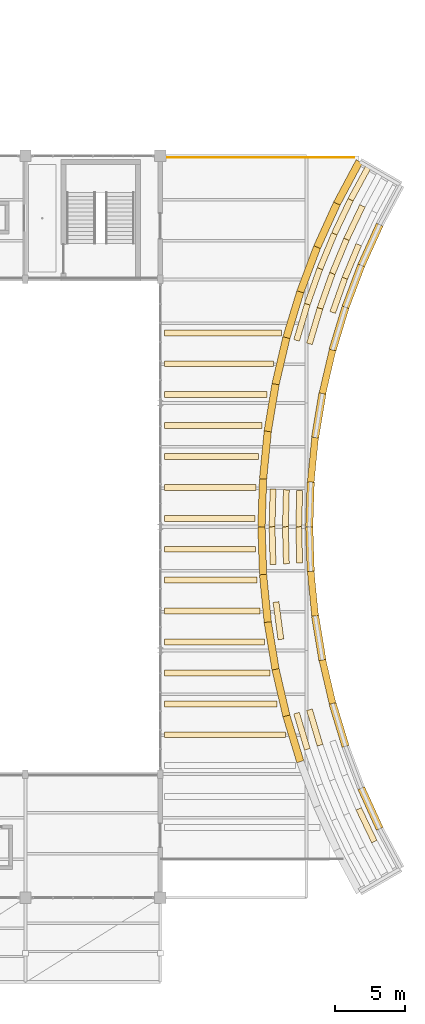
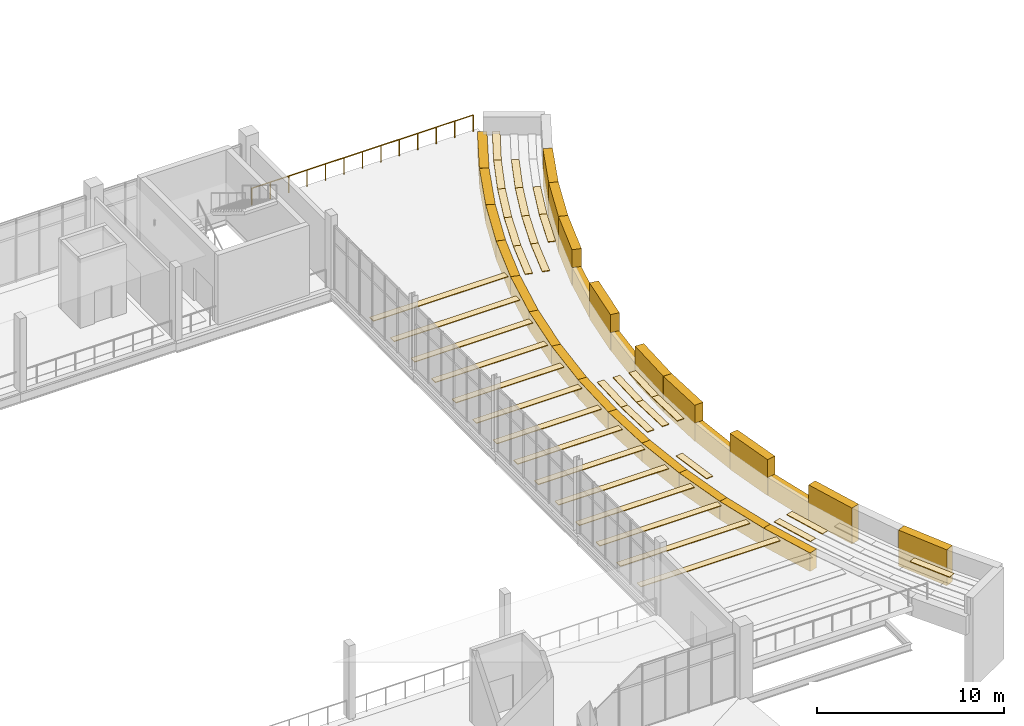
# One storey, part 156 of 157: 61 coverings, 1 railing.
"""IFC4 building model written with IfcOpenShell, lengths in metres."""

from ifc_helpers import new_model, si_unit, direction, frame, origin, origin_2d, place, context, subcontext, project, spatial, polyline, circle, outline, extrude, material, layer, layer_set, type_object, element, save


model = new_model("IFC4")

# Units and contexts
model_context = context("Model", 3, precision=1e-05, world=origin(), true_north=direction((0.0, 1.0)))
body_context = subcontext(model_context, "Body", "Model", "MODEL_VIEW")
ifc_project = project(units=[si_unit("LENGTHUNIT", "METRE"), si_unit("AREAUNIT", "SQUARE_METRE"), si_unit("VOLUMEUNIT", "CUBIC_METRE"), si_unit("PLANEANGLEUNIT", "RADIAN"), si_unit("MASSUNIT", "GRAM", prefix="KILO")], contexts=[model_context])

# Site, building, storey
site_placement = place(None, origin())
site = spatial("IfcSite", under=ifc_project, at=site_placement, CompositionType="ELEMENT")
building_placement = place(site_placement, origin())
building = spatial("IfcBuilding", under=site, at=building_placement, Name="Chalmorin Arch Market", CompositionType="ELEMENT")
storey_placement = place(building_placement, frame((0.0, 0.0, 4.800048828125)))
storey = spatial("IfcBuildingStorey", under=building, at=storey_placement, Name="L01", CompositionType="ELEMENT", Elevation=4.800048828125)

# Railing
ifc_material_1 = material(Name="Galvanised Steel", Category="steel")
ifc_layer_1 = layer(ifc_material_1, 0.06005859375)
ifc_layer_set_1 = layer_set([ifc_layer_1], Name="Galvanised Steel")
railing_type = type_object("IfcRailingType", Name="TerraceMeshGuardrail-1100", PredefinedType="GUARDRAIL", material=ifc_layer_set_1)
railing_placement = place(storey_placement, frame((124.89990234375, 58.679931640625, 0.0)))
element("IfcRailing", 1, at=railing_placement, inside=storey, type_object=railing_type, Name="GR-013", PredefinedType="GUARDRAIL", context=body_context, shape_type="SweptSolid", body=[
    extrude(circle(Radius=0.02392578125, at=origin_2d()), frame((0.0, 0.0, 1.076171875), z_axis=(1.0, 0.0, 0.0), x_axis=(0.0, 1.0, 0.0)), (0.0, 0.0, 1.0), 13.677001953125),
    extrude(circle(Radius=0.02099609375, at=origin_2d()), origin(), (0.0, 0.0, 1.0), 1.052001953125),
    extrude(circle(Radius=0.02099609375, at=origin_2d()), frame((1.1396484375, 0.0, 0.0)), (0.0, 0.0, 1.0), 1.052001953125),
    extrude(circle(Radius=0.02099609375, at=origin_2d()), frame((2.279541015625, 0.0, 0.0)), (0.0, 0.0, 1.0), 1.052001953125),
    extrude(circle(Radius=0.02099609375, at=origin_2d()), frame((3.419189453125, 0.0, 0.0)), (0.0, 0.0, 1.0), 1.052001953125),
    extrude(circle(Radius=0.02099609375, at=origin_2d()), frame((4.55908203125, 0.0, 0.0)), (0.0, 0.0, 1.0), 1.052001953125),
    extrude(circle(Radius=0.02099609375, at=origin_2d()), frame((5.69873046875, 0.0, 0.0)), (0.0, 0.0, 1.0), 1.052001953125),
    extrude(circle(Radius=0.02099609375, at=origin_2d()), frame((6.83837890625, 0.0, 0.0)), (0.0, 0.0, 1.0), 1.052001953125),
    extrude(circle(Radius=0.02099609375, at=origin_2d()), frame((7.978271484375, 0.0, 0.0)), (0.0, 0.0, 1.0), 1.052001953125),
    extrude(circle(Radius=0.02099609375, at=origin_2d()), frame((9.117919921875, 0.0, 0.0)), (0.0, 0.0, 1.0), 1.052001953125),
    extrude(circle(Radius=0.02099609375, at=origin_2d()), frame((10.2578125, 0.0, 0.0)), (0.0, 0.0, 1.0), 1.052001953125),
    extrude(circle(Radius=0.02099609375, at=origin_2d()), frame((11.3974609375, 0.0, 0.0)), (0.0, 0.0, 1.0), 1.052001953125),
    extrude(circle(Radius=0.02099609375, at=origin_2d()), frame((12.537353515625, 0.0, 0.0)), (0.0, 0.0, 1.0), 1.052001953125),
    extrude(circle(Radius=0.02099609375, at=origin_2d()), frame((13.677001953125, 0.0, 0.0)), (0.0, 0.0, 1.0), 1.052001953125),
])

# Coverings
ifc_material_2 = material(Name="Planted Green Roof Turf")
ifc_layer_2 = layer(ifc_material_2, 0.044921875)
ifc_layer_set_2 = layer_set([ifc_layer_2], Name="Planted Green Roof Turf")
covering_type_1 = type_object("IfcCoveringType", Name="VegetatedMoundTurfStrip-45", PredefinedType="ROOFING", material=ifc_layer_set_2)
covering_1_placement = place(storey_placement, origin())
element("IfcCovering", 2, at=covering_1_placement, inside=storey, type_object=covering_type_1, Name="VMT-45-020", PredefinedType="ROOFING", context=body_context, shape_type="SweptSolid", body=[
    extrude(outline(polyline([(125.10009765625, 17.389892578125), (133.700927734375, 17.389892578125), (133.700927734375, 17.81005859375), (125.10009765625, 17.81005859375), (125.10009765625, 17.389892578125)])), origin(), (0.0, 0.0, 1.0), 0.044921875),
])
covering_2_placement = place(storey_placement, origin())
element("IfcCovering", 3, at=covering_2_placement, inside=storey, type_object=covering_type_1, Name="VMT-45-021", PredefinedType="ROOFING", context=body_context, shape_type="SweptSolid", body=[
    extrude(outline(polyline([(125.10009765625, 19.590087890625), (133.10009765625, 19.590087890625), (133.10009765625, 20.010009765625), (125.10009765625, 20.010009765625), (125.10009765625, 19.590087890625)])), origin(), (0.0, 0.0, 1.0), 0.044921875),
])
covering_3_placement = place(storey_placement, origin())
element("IfcCovering", 4, at=covering_3_placement, inside=storey, type_object=covering_type_1, Name="VMT-45-022", PredefinedType="ROOFING", context=body_context, shape_type="SweptSolid", body=[
    extrude(outline(polyline([(125.10009765625, 21.7900390625), (132.60107421875, 21.7900390625), (132.60107421875, 22.2099609375), (125.10009765625, 22.2099609375), (125.10009765625, 21.7900390625)])), origin(), (0.0, 0.0, 1.0), 0.044921875),
])
covering_4_placement = place(storey_placement, origin())
element("IfcCovering", 5, at=covering_4_placement, inside=storey, type_object=covering_type_1, Name="VMT-45-023", PredefinedType="ROOFING", context=body_context, shape_type="SweptSolid", body=[
    extrude(outline(polyline([(125.10009765625, 23.989990234375), (132.200927734375, 23.989990234375), (132.200927734375, 24.409912109375), (125.10009765625, 24.409912109375), (125.10009765625, 23.989990234375)])), origin(), (0.0, 0.0, 1.0), 0.044921875),
])
covering_5_placement = place(storey_placement, origin())
element("IfcCovering", 6, at=covering_5_placement, inside=storey, type_object=covering_type_1, Name="VMT-45-024", PredefinedType="ROOFING", context=body_context, shape_type="SweptSolid", body=[
    extrude(outline(polyline([(125.10009765625, 26.18994140625), (131.89697265625, 26.18994140625), (131.89697265625, 26.610107421875), (125.10009765625, 26.610107421875), (125.10009765625, 26.18994140625)])), origin(), (0.0, 0.0, 1.0), 0.044921875),
])
covering_6_placement = place(storey_placement, origin())
element("IfcCovering", 7, at=covering_6_placement, inside=storey, type_object=covering_type_1, Name="VMT-45-025", PredefinedType="ROOFING", context=body_context, shape_type="SweptSolid", body=[
    extrude(outline(polyline([(125.10009765625, 28.389892578125), (131.68896484375, 28.389892578125), (131.68896484375, 28.81005859375), (125.10009765625, 28.81005859375), (125.10009765625, 28.389892578125)])), origin(), (0.0, 0.0, 1.0), 0.044921875),
])
covering_7_placement = place(storey_placement, origin())
element("IfcCovering", 8, at=covering_7_placement, inside=storey, type_object=covering_type_1, Name="VMT-45-026", PredefinedType="ROOFING", context=body_context, shape_type="SweptSolid", body=[
    extrude(outline(polyline([(125.10009765625, 30.590087890625), (131.574951171875, 30.590087890625), (131.574951171875, 31.010009765625), (125.10009765625, 31.010009765625), (125.10009765625, 30.590087890625)])), origin(), (0.0, 0.0, 1.0), 0.044921875),
])
covering_8_placement = place(storey_placement, origin())
element("IfcCovering", 9, at=covering_8_placement, inside=storey, type_object=covering_type_1, Name="VMT-45-027", PredefinedType="ROOFING", context=body_context, shape_type="SweptSolid", body=[
    extrude(outline(polyline([(125.10009765625, 32.7900390625), (131.552978515625, 32.7900390625), (131.552978515625, 33.2099609375), (125.10009765625, 33.2099609375), (125.10009765625, 32.7900390625)])), origin(), (0.0, 0.0, 1.0), 0.044921875),
])
covering_9_placement = place(storey_placement, origin())
element("IfcCovering", 10, at=covering_9_placement, inside=storey, type_object=covering_type_1, Name="VMT-45-028", PredefinedType="ROOFING", context=body_context, shape_type="SweptSolid", body=[
    extrude(outline(polyline([(125.10009765625, 34.989990234375), (131.625, 34.989990234375), (131.625, 35.409912109375), (125.10009765625, 35.409912109375), (125.10009765625, 34.989990234375)])), origin(), (0.0, 0.0, 1.0), 0.044921875),
])
covering_10_placement = place(storey_placement, origin())
element("IfcCovering", 11, at=covering_10_placement, inside=storey, type_object=covering_type_1, Name="VMT-45-029", PredefinedType="ROOFING", context=body_context, shape_type="SweptSolid", body=[
    extrude(outline(polyline([(125.10009765625, 37.18994140625), (131.791015625, 37.18994140625), (131.791015625, 37.610107421875), (125.10009765625, 37.610107421875), (125.10009765625, 37.18994140625)])), origin(), (0.0, 0.0, 1.0), 0.044921875),
])
covering_11_placement = place(storey_placement, origin())
element("IfcCovering", 12, at=covering_11_placement, inside=storey, type_object=covering_type_1, Name="VMT-45-030", PredefinedType="ROOFING", context=body_context, shape_type="SweptSolid", body=[
    extrude(outline(polyline([(125.10009765625, 39.389892578125), (132.051025390625, 39.389892578125), (132.051025390625, 39.81005859375), (125.10009765625, 39.81005859375), (125.10009765625, 39.389892578125)])), origin(), (0.0, 0.0, 1.0), 0.044921875),
])
covering_12_placement = place(storey_placement, origin())
element("IfcCovering", 13, at=covering_12_placement, inside=storey, type_object=covering_type_1, Name="VMT-45-031", PredefinedType="ROOFING", context=body_context, shape_type="SweptSolid", body=[
    extrude(outline(polyline([(125.10009765625, 41.590087890625), (132.406982421875, 41.590087890625), (132.406982421875, 42.010009765625), (125.10009765625, 42.010009765625), (125.10009765625, 41.590087890625)])), origin(), (0.0, 0.0, 1.0), 0.044921875),
])
covering_13_placement = place(storey_placement, origin())
element("IfcCovering", 14, at=covering_13_placement, inside=storey, type_object=covering_type_1, Name="VMT-45-032", PredefinedType="ROOFING", context=body_context, shape_type="SweptSolid", body=[
    extrude(outline(polyline([(125.10009765625, 43.7900390625), (132.860107421875, 43.7900390625), (132.860107421875, 44.2099609375), (125.10009765625, 44.2099609375), (125.10009765625, 43.7900390625)])), origin(), (0.0, 0.0, 1.0), 0.044921875),
])
covering_14_placement = place(storey_placement, origin())
element("IfcCovering", 15, at=covering_14_placement, inside=storey, type_object=covering_type_1, Name="VMT-45-033", PredefinedType="ROOFING", context=body_context, shape_type="SweptSolid", body=[
    extrude(outline(polyline([(125.10009765625, 45.989990234375), (133.4150390625, 45.989990234375), (133.4150390625, 46.409912109375), (125.10009765625, 46.409912109375), (125.10009765625, 45.989990234375)])), origin(), (0.0, 0.0, 1.0), 0.044921875),
])
covering_15_placement = place(storey_placement, origin())
element("IfcCovering", 16, at=covering_15_placement, inside=storey, type_object=covering_type_1, Name="VMT-45-120", PredefinedType="ROOFING", context=body_context, shape_type="SweptSolid", body=[
    extrude(outline(polyline([(138.722900390625, 52.552490234375), (137.73388671875, 50.165283203125), (138.1220703125, 50.004638671875), (139.111083984375, 52.3916015625), (138.722900390625, 52.552490234375)])), origin(), (0.0, 0.0, 1.0), 0.044921875),
])
covering_16_placement = place(storey_placement, origin())
element("IfcCovering", 17, at=covering_16_placement, inside=storey, type_object=covering_type_1, Name="VMT-45-121", PredefinedType="ROOFING", context=body_context, shape_type="SweptSolid", body=[
    extrude(outline(polyline([(137.72998046875, 50.1552734375), (136.8671875, 47.72021484375), (137.262939453125, 47.579833984375), (138.1259765625, 50.014892578125), (137.72998046875, 50.1552734375)])), origin(), (0.0, 0.0, 1.0), 0.044921875),
])
covering_17_placement = place(storey_placement, origin())
element("IfcCovering", 18, at=covering_17_placement, inside=storey, type_object=covering_type_1, Name="VMT-45-122", PredefinedType="ROOFING", context=body_context, shape_type="SweptSolid", body=[
    extrude(outline(polyline([(134.508056640625, 34.988525390625), (134.440185546875, 32.405517578125), (134.85986328125, 32.39453125), (134.927978515625, 34.9775390625), (134.508056640625, 34.988525390625)])), origin(), (0.0, 0.0, 1.0), 0.044921875),
])
covering_18_placement = place(storey_placement, origin())
element("IfcCovering", 19, at=covering_18_placement, inside=storey, type_object=covering_type_1, Name="VMT-45-123", PredefinedType="ROOFING", context=body_context, shape_type="SweptSolid", body=[
    extrude(outline(polyline([(134.440185546875, 32.39453125), (134.508056640625, 29.8115234375), (134.927978515625, 29.822509765625), (134.85986328125, 32.405517578125), (134.440185546875, 32.39453125)])), origin(), (0.0, 0.0, 1.0), 0.044921875),
])
covering_19_placement = place(storey_placement, origin())
element("IfcCovering", 20, at=covering_19_placement, inside=storey, type_object=covering_type_1, Name="VMT-45-126", PredefinedType="ROOFING", context=body_context, shape_type="SweptSolid", body=[
    extrude(outline(polyline([(138.727294921875, 12.237548828125), (139.83935546875, 9.905517578125), (140.218505859375, 10.08642578125), (139.106689453125, 12.41845703125), (138.727294921875, 12.237548828125)])), origin(), (0.0, 0.0, 1.0), 0.044921875),
])
covering_20_placement = place(storey_placement, origin())
element("IfcCovering", 21, at=covering_20_placement, inside=storey, type_object=covering_type_1, Name="VMT-45-129", PredefinedType="ROOFING", context=body_context, shape_type="SweptSolid", body=[
    extrude(outline(polyline([(138.992431640625, 55.326416015625), (137.859375, 52.949462890625), (138.238525390625, 52.7685546875), (139.37158203125, 55.1455078125), (138.992431640625, 55.326416015625)])), origin(), (0.0, 0.0, 1.0), 0.044921875),
])
covering_21_placement = place(storey_placement, origin())
element("IfcCovering", 22, at=covering_21_placement, inside=storey, type_object=covering_type_1, Name="VMT-45-130", PredefinedType="ROOFING", context=body_context, shape_type="SweptSolid", body=[
    extrude(outline(polyline([(137.85498046875, 52.939453125), (136.846923828125, 50.50634765625), (137.235107421875, 50.345703125), (138.242919921875, 52.778564453125), (137.85498046875, 52.939453125)])), origin(), (0.0, 0.0, 1.0), 0.044921875),
])
covering_22_placement = place(storey_placement, origin())
element("IfcCovering", 23, at=covering_22_placement, inside=storey, type_object=covering_type_1, Name="VMT-45-131", PredefinedType="ROOFING", context=body_context, shape_type="SweptSolid", body=[
    extrude(outline(polyline([(136.843017578125, 50.49609375), (135.964111328125, 48.01416015625), (136.360107421875, 47.873779296875), (137.239013671875, 50.35595703125), (136.843017578125, 50.49609375)])), origin(), (0.0, 0.0, 1.0), 0.044921875),
])
covering_23_placement = place(storey_placement, origin())
element("IfcCovering", 24, at=covering_23_placement, inside=storey, type_object=covering_type_1, Name="VMT-45-132", PredefinedType="ROOFING", context=body_context, shape_type="SweptSolid", body=[
    extrude(outline(polyline([(135.960693359375, 48.003662109375), (135.212646484375, 45.478515625), (135.615478515625, 45.359375), (136.36328125, 47.884521484375), (135.960693359375, 48.003662109375)])), origin(), (0.0, 0.0, 1.0), 0.044921875),
])
covering_24_placement = place(storey_placement, origin())
element("IfcCovering", 25, at=covering_24_placement, inside=storey, type_object=covering_type_1, Name="VMT-45-133", PredefinedType="ROOFING", context=body_context, shape_type="SweptSolid", body=[
    extrude(outline(polyline([(133.55908203125, 35.03759765625), (133.489990234375, 32.405517578125), (133.909912109375, 32.39453125), (133.97900390625, 35.026611328125), (133.55908203125, 35.03759765625)])), origin(), (0.0, 0.0, 1.0), 0.044921875),
])
covering_25_placement = place(storey_placement, origin())
element("IfcCovering", 26, at=covering_25_placement, inside=storey, type_object=covering_type_1, Name="VMT-45-134", PredefinedType="ROOFING", context=body_context, shape_type="SweptSolid", body=[
    extrude(outline(polyline([(133.489990234375, 32.39453125), (133.55908203125, 29.762451171875), (133.97900390625, 29.7734375), (133.909912109375, 32.405517578125), (133.489990234375, 32.39453125)])), origin(), (0.0, 0.0, 1.0), 0.044921875),
])
covering_26_placement = place(storey_placement, origin())
element("IfcCovering", 27, at=covering_26_placement, inside=storey, type_object=covering_type_1, Name="VMT-45-135", PredefinedType="ROOFING", context=body_context, shape_type="SweptSolid", body=[
    extrude(outline(polyline([(135.212646484375, 19.3212890625), (135.960693359375, 16.79638671875), (136.36328125, 16.91552734375), (135.615478515625, 19.440673828125), (135.212646484375, 19.3212890625)])), origin(), (0.0, 0.0, 1.0), 0.044921875),
])
covering_27_placement = place(storey_placement, origin())
element("IfcCovering", 28, at=covering_27_placement, inside=storey, type_object=covering_type_1, Name="VMT-45-140", PredefinedType="ROOFING", context=body_context, shape_type="SweptSolid", body=[
    extrude(outline(polyline([(139.431396484375, 58.125244140625), (138.1513671875, 55.76708984375), (138.5205078125, 55.56689453125), (139.800537109375, 57.9248046875), (139.431396484375, 58.125244140625)])), origin(), (0.0, 0.0, 1.0), 0.044921875),
])
covering_28_placement = place(storey_placement, origin())
element("IfcCovering", 29, at=covering_28_placement, inside=storey, type_object=covering_type_1, Name="VMT-45-141", PredefinedType="ROOFING", context=body_context, shape_type="SweptSolid", body=[
    extrude(outline(polyline([(138.146484375, 55.75732421875), (136.991455078125, 53.33544921875), (137.37060546875, 53.154541015625), (138.525634765625, 55.57666015625), (138.146484375, 55.75732421875)])), origin(), (0.0, 0.0, 1.0), 0.044921875),
])
covering_29_placement = place(storey_placement, origin())
element("IfcCovering", 30, at=covering_29_placement, inside=storey, type_object=covering_type_1, Name="VMT-45-142", PredefinedType="ROOFING", context=body_context, shape_type="SweptSolid", body=[
    extrude(outline(polyline([(136.987060546875, 53.325439453125), (135.9599609375, 50.846435546875), (136.347900390625, 50.685546875), (137.375, 53.16455078125), (136.987060546875, 53.325439453125)])), origin(), (0.0, 0.0, 1.0), 0.044921875),
])
covering_30_placement = place(storey_placement, origin())
element("IfcCovering", 31, at=covering_30_placement, inside=storey, type_object=covering_type_1, Name="VMT-45-143", PredefinedType="ROOFING", context=body_context, shape_type="SweptSolid", body=[
    extrude(outline(polyline([(135.9560546875, 50.836181640625), (135.06005859375, 48.30712890625), (135.455810546875, 48.1669921875), (136.351806640625, 50.69580078125), (135.9560546875, 50.836181640625)])), origin(), (0.0, 0.0, 1.0), 0.044921875),
])
covering_31_placement = place(storey_placement, origin())
element("IfcCovering", 32, at=covering_31_placement, inside=storey, type_object=covering_type_1, Name="VMT-45-144", PredefinedType="ROOFING", context=body_context, shape_type="SweptSolid", body=[
    extrude(outline(polyline([(135.056640625, 48.296630859375), (134.294677734375, 45.7236328125), (134.697509765625, 45.6044921875), (135.45947265625, 48.177490234375), (135.056640625, 48.296630859375)])), origin(), (0.0, 0.0, 1.0), 0.044921875),
])
covering_32_placement = place(storey_placement, origin())
element("IfcCovering", 33, at=covering_32_placement, inside=storey, type_object=covering_type_1, Name="VMT-45-145", PredefinedType="ROOFING", context=body_context, shape_type="SweptSolid", body=[
    extrude(outline(polyline([(132.610107421875, 35.08740234375), (132.5400390625, 32.405517578125), (132.9599609375, 32.39453125), (133.02978515625, 35.076416015625), (132.610107421875, 35.08740234375)])), origin(), (0.0, 0.0, 1.0), 0.044921875),
])
covering_33_placement = place(storey_placement, origin())
element("IfcCovering", 34, at=covering_33_placement, inside=storey, type_object=covering_type_1, Name="VMT-45-146", PredefinedType="ROOFING", context=body_context, shape_type="SweptSolid", body=[
    extrude(outline(polyline([(132.5400390625, 32.39453125), (132.610107421875, 29.71240234375), (133.02978515625, 29.723388671875), (132.9599609375, 32.405517578125), (132.5400390625, 32.39453125)])), origin(), (0.0, 0.0, 1.0), 0.044921875),
])
covering_34_placement = place(storey_placement, origin())
element("IfcCovering", 35, at=covering_34_placement, inside=storey, type_object=covering_type_1, Name="VMT-45-147", PredefinedType="ROOFING", context=body_context, shape_type="SweptSolid", body=[
    extrude(outline(polyline([(132.82275390625, 27.015625), (133.1728515625, 24.355712890625), (133.589111328125, 24.410400390625), (133.2392578125, 27.0703125), (132.82275390625, 27.015625)])), origin(), (0.0, 0.0, 1.0), 0.044921875),
])
covering_35_placement = place(storey_placement, origin())
element("IfcCovering", 36, at=covering_35_placement, inside=storey, type_object=covering_type_1, Name="VMT-45-148", PredefinedType="ROOFING", context=body_context, shape_type="SweptSolid", body=[
    extrude(outline(polyline([(134.294677734375, 19.076416015625), (135.056640625, 16.50341796875), (135.45947265625, 16.62255859375), (134.697509765625, 19.195556640625), (134.294677734375, 19.076416015625)])), origin(), (0.0, 0.0, 1.0), 0.044921875),
])
ifc_material_3 = material(Name="Precast concrete C40/50", Category="concrete")
ifc_layer_3 = layer(ifc_material_3, 0.054931640625)
ifc_layer_set_3 = layer_set([ifc_layer_3], Name="Precast concrete C40/50")
covering_type_2 = type_object("IfcCoveringType", Name="WhiteArchitecturalPrecastCladding-55", PredefinedType="CLADDING", material=ifc_layer_set_3)
covering_36_placement = place(storey_placement, frame((0.0, 0.0, -1.18994140625)))
element("IfcCovering", 37, at=covering_36_placement, inside=storey, type_object=covering_type_2, Name="WPC-55-050", PredefinedType="CLADDING", context=body_context, shape_type="SweptSolid", body=[
    extrude(outline(polyline([(140.17529296875, 54.002197265625), (138.8623046875, 51.105224609375), (139.335693359375, 50.890625), (140.648681640625, 53.78759765625), (140.17529296875, 54.002197265625)])), origin(), (0.0, 0.0, 1.0), 2.349853515625),
])
covering_37_placement = place(storey_placement, frame((0.0, 0.0, -1.18994140625)))
element("IfcCovering", 38, at=covering_37_placement, inside=storey, type_object=covering_type_2, Name="WPC-55-051", PredefinedType="CLADDING", context=body_context, shape_type="SweptSolid", body=[
    extrude(outline(polyline([(138.855712890625, 51.089599609375), (137.735595703125, 48.113525390625), (138.222412109375, 47.930419921875), (139.34228515625, 50.906494140625), (138.855712890625, 51.089599609375)])), origin(), (0.0, 0.0, 1.0), 2.349853515625),
])
covering_38_placement = place(storey_placement, frame((0.0, 0.0, -1.18994140625)))
element("IfcCovering", 39, at=covering_38_placement, inside=storey, type_object=covering_type_2, Name="WPC-55-052", PredefinedType="CLADDING", context=body_context, shape_type="SweptSolid", body=[
    extrude(outline(polyline([(137.730224609375, 48.097412109375), (136.80712890625, 45.054443359375), (137.3046875, 44.903564453125), (138.227783203125, 47.946533203125), (137.730224609375, 48.097412109375)])), origin(), (0.0, 0.0, 1.0), 2.349853515625),
])
covering_39_placement = place(storey_placement, frame((0.0, 0.0, -1.18994140625)))
element("IfcCovering", 40, at=covering_39_placement, inside=storey, type_object=covering_type_2, Name="WPC-55-053", PredefinedType="CLADDING", context=body_context, shape_type="SweptSolid", body=[
    extrude(outline(polyline([(136.822265625, 45.033447265625), (136.100341796875, 41.935546875), (136.567626953125, 41.826416015625), (137.289794921875, 44.924560546875), (136.822265625, 45.033447265625)])), origin(), (0.0, 0.0, 1.0), 1.179931640625),
])
covering_40_placement = place(storey_placement, frame((0.0, 0.0, -1.18994140625)))
element("IfcCovering", 41, at=covering_40_placement, inside=storey, type_object=covering_type_2, Name="WPC-55-054", PredefinedType="CLADDING", context=body_context, shape_type="SweptSolid", body=[
    extrude(outline(polyline([(136.077392578125, 41.92333984375), (135.5595703125, 38.786376953125), (136.072509765625, 38.70166015625), (136.590576171875, 41.838623046875), (136.077392578125, 41.92333984375)])), origin(), (0.0, 0.0, 1.0), 2.349853515625),
])
covering_41_placement = place(storey_placement, frame((0.0, 0.0, -1.18994140625)))
element("IfcCovering", 42, at=covering_41_placement, inside=storey, type_object=covering_type_2, Name="WPC-55-055", PredefinedType="CLADDING", context=body_context, shape_type="SweptSolid", body=[
    extrude(outline(polyline([(135.5771484375, 38.767578125), (135.26513671875, 35.6025390625), (135.742919921875, 35.555419921875), (136.0546875, 38.720458984375), (135.5771484375, 38.767578125)])), origin(), (0.0, 0.0, 1.0), 1.179931640625),
])
covering_42_placement = place(storey_placement, frame((0.0, 0.0, -1.18994140625)))
element("IfcCovering", 43, at=covering_42_placement, inside=storey, type_object=covering_type_2, Name="WPC-55-056", PredefinedType="CLADDING", context=body_context, shape_type="SweptSolid", body=[
    extrude(outline(polyline([(135.244140625, 35.58740234375), (135.14013671875, 32.408447265625), (135.659912109375, 32.3916015625), (135.763916015625, 35.570556640625), (135.244140625, 35.58740234375)])), origin(), (0.0, 0.0, 1.0), 2.349853515625),
])
covering_43_placement = place(storey_placement, frame((0.0, 0.0, -1.18994140625)))
element("IfcCovering", 44, at=covering_43_placement, inside=storey, type_object=covering_type_2, Name="WPC-55-057", PredefinedType="CLADDING", context=body_context, shape_type="SweptSolid", body=[
    extrude(outline(polyline([(135.14013671875, 32.3916015625), (135.244140625, 29.21240234375), (135.763916015625, 29.2294921875), (135.659912109375, 32.408447265625), (135.14013671875, 32.3916015625)])), origin(), (0.0, 0.0, 1.0), 2.349853515625),
])
covering_44_placement = place(storey_placement, frame((0.0, 0.0, -1.18994140625)))
element("IfcCovering", 45, at=covering_44_placement, inside=storey, type_object=covering_type_2, Name="WPC-55-058", PredefinedType="CLADDING", context=body_context, shape_type="SweptSolid", body=[
    extrude(outline(polyline([(135.26513671875, 29.197509765625), (135.5771484375, 26.032470703125), (136.0546875, 26.07958984375), (135.742919921875, 29.244384765625), (135.26513671875, 29.197509765625)])), origin(), (0.0, 0.0, 1.0), 1.179931640625),
])
covering_45_placement = place(storey_placement, frame((0.0, 0.0, -1.18994140625)))
element("IfcCovering", 46, at=covering_45_placement, inside=storey, type_object=covering_type_2, Name="WPC-55-059", PredefinedType="CLADDING", context=body_context, shape_type="SweptSolid", body=[
    extrude(outline(polyline([(135.5595703125, 26.013671875), (136.077392578125, 22.876708984375), (136.590576171875, 22.96142578125), (136.072509765625, 26.098388671875), (135.5595703125, 26.013671875)])), origin(), (0.0, 0.0, 1.0), 2.349853515625),
])
covering_46_placement = place(storey_placement, frame((0.0, 0.0, -1.18994140625)))
element("IfcCovering", 47, at=covering_46_placement, inside=storey, type_object=covering_type_2, Name="WPC-55-060", PredefinedType="CLADDING", context=body_context, shape_type="SweptSolid", body=[
    extrude(outline(polyline([(136.100341796875, 22.864501953125), (136.822265625, 19.7666015625), (137.289794921875, 19.87548828125), (136.567626953125, 22.973388671875), (136.100341796875, 22.864501953125)])), origin(), (0.0, 0.0, 1.0), 1.179931640625),
])
covering_47_placement = place(storey_placement, frame((0.0, 0.0, -1.18994140625)))
element("IfcCovering", 48, at=covering_47_placement, inside=storey, type_object=covering_type_2, Name="WPC-55-061", PredefinedType="CLADDING", context=body_context, shape_type="SweptSolid", body=[
    extrude(outline(polyline([(136.80712890625, 19.74560546875), (137.730224609375, 16.702392578125), (138.227783203125, 16.853515625), (137.3046875, 19.896484375), (136.80712890625, 19.74560546875)])), origin(), (0.0, 0.0, 1.0), 2.349853515625),
])
covering_48_placement = place(storey_placement, frame((0.0, 0.0, -1.18994140625)))
element("IfcCovering", 49, at=covering_48_placement, inside=storey, type_object=covering_type_2, Name="WPC-55-063", PredefinedType="CLADDING", context=body_context, shape_type="SweptSolid", body=[
    extrude(outline(polyline([(138.8623046875, 13.694580078125), (140.17529296875, 10.797607421875), (140.648681640625, 11.01220703125), (139.335693359375, 13.9091796875), (138.8623046875, 13.694580078125)])), origin(), (0.0, 0.0, 1.0), 2.349853515625),
])
covering_49_placement = place(storey_placement, frame((0.0, 0.0, -1.18994140625)))
element("IfcCovering", 50, at=covering_49_placement, inside=storey, type_object=covering_type_2, Name="WPC-55-065", PredefinedType="CLADDING", context=body_context, shape_type="SweptSolid", body=[
    extrude(outline(polyline([(138.73779296875, 58.522705078125), (137.1337890625, 55.521484375), (137.59228515625, 55.2763671875), (139.1962890625, 58.27734375), (138.73779296875, 58.522705078125)])), origin(), (0.0, 0.0, 1.0), 1.2099609375),
])
covering_50_placement = place(storey_placement, frame((0.0, 0.0, -1.18994140625)))
element("IfcCovering", 51, at=covering_50_placement, inside=storey, type_object=covering_type_2, Name="WPC-55-066", PredefinedType="CLADDING", context=body_context, shape_type="SweptSolid", body=[
    extrude(outline(polyline([(137.126220703125, 55.50634765625), (135.72119140625, 52.407470703125), (136.19482421875, 52.192626953125), (137.599853515625, 55.29150390625), (137.126220703125, 55.50634765625)])), origin(), (0.0, 0.0, 1.0), 1.2099609375),
])
covering_51_placement = place(storey_placement, frame((0.0, 0.0, -1.18994140625)))
element("IfcCovering", 52, at=covering_51_placement, inside=storey, type_object=covering_type_2, Name="WPC-55-067", PredefinedType="CLADDING", context=body_context, shape_type="SweptSolid", body=[
    extrude(outline(polyline([(135.714599609375, 52.3916015625), (134.5166015625, 49.20654296875), (135.00341796875, 49.0234375), (136.201416015625, 52.20849609375), (135.714599609375, 52.3916015625)])), origin(), (0.0, 0.0, 1.0), 1.2099609375),
])
covering_52_placement = place(storey_placement, frame((0.0, 0.0, -1.18994140625)))
element("IfcCovering", 53, at=covering_52_placement, inside=storey, type_object=covering_type_2, Name="WPC-55-068", PredefinedType="CLADDING", context=body_context, shape_type="SweptSolid", body=[
    extrude(outline(polyline([(134.51123046875, 49.1904296875), (133.523193359375, 45.9345703125), (134.020751953125, 45.783447265625), (135.0087890625, 49.03955078125), (134.51123046875, 49.1904296875)])), origin(), (0.0, 0.0, 1.0), 1.2099609375),
])
covering_53_placement = place(storey_placement, frame((0.0, 0.0, -1.18994140625)))
element("IfcCovering", 54, at=covering_53_placement, inside=storey, type_object=covering_type_2, Name="WPC-55-069", PredefinedType="CLADDING", context=body_context, shape_type="SweptSolid", body=[
    extrude(outline(polyline([(133.518798828125, 45.918212890625), (132.745849609375, 42.60400390625), (133.252197265625, 42.48583984375), (134.025146484375, 45.7998046875), (133.518798828125, 45.918212890625)])), origin(), (0.0, 0.0, 1.0), 1.2099609375),
])
covering_54_placement = place(storey_placement, frame((0.0, 0.0, -1.18994140625)))
element("IfcCovering", 55, at=covering_54_placement, inside=storey, type_object=covering_type_2, Name="WPC-55-070", PredefinedType="CLADDING", context=body_context, shape_type="SweptSolid", body=[
    extrude(outline(polyline([(132.742431640625, 42.58740234375), (132.1884765625, 39.229248046875), (132.701416015625, 39.144775390625), (133.255615234375, 42.502685546875), (132.742431640625, 42.58740234375)])), origin(), (0.0, 0.0, 1.0), 1.2099609375),
])
covering_55_placement = place(storey_placement, frame((0.0, 0.0, -1.18994140625)))
element("IfcCovering", 56, at=covering_55_placement, inside=storey, type_object=covering_type_2, Name="WPC-55-071", PredefinedType="CLADDING", context=body_context, shape_type="SweptSolid", body=[
    extrude(outline(polyline([(132.186279296875, 39.21240234375), (131.852294921875, 35.826416015625), (132.36962890625, 35.775390625), (132.70361328125, 39.16162109375), (132.186279296875, 39.21240234375)])), origin(), (0.0, 0.0, 1.0), 1.2099609375),
])
covering_56_placement = place(storey_placement, frame((0.0, 0.0, -1.18994140625)))
element("IfcCovering", 57, at=covering_56_placement, inside=storey, type_object=covering_type_2, Name="WPC-55-072", PredefinedType="CLADDING", context=body_context, shape_type="SweptSolid", body=[
    extrude(outline(polyline([(131.85107421875, 35.8095703125), (131.739990234375, 32.408447265625), (132.260009765625, 32.3916015625), (132.370849609375, 35.79248046875), (131.85107421875, 35.8095703125)])), origin(), (0.0, 0.0, 1.0), 1.2099609375),
])
covering_57_placement = place(storey_placement, frame((0.0, 0.0, -1.18994140625)))
element("IfcCovering", 58, at=covering_57_placement, inside=storey, type_object=covering_type_2, Name="WPC-55-073", PredefinedType="CLADDING", context=body_context, shape_type="SweptSolid", body=[
    extrude(outline(polyline([(131.739990234375, 32.3916015625), (131.85107421875, 28.990478515625), (132.370849609375, 29.007568359375), (132.260009765625, 32.408447265625), (131.739990234375, 32.3916015625)])), origin(), (0.0, 0.0, 1.0), 1.2099609375),
])
covering_58_placement = place(storey_placement, frame((0.0, 0.0, -1.18994140625)))
element("IfcCovering", 59, at=covering_58_placement, inside=storey, type_object=covering_type_2, Name="WPC-55-074", PredefinedType="CLADDING", context=body_context, shape_type="SweptSolid", body=[
    extrude(outline(polyline([(131.852294921875, 28.973388671875), (132.186279296875, 25.58740234375), (132.70361328125, 25.638427734375), (132.36962890625, 29.0244140625), (131.852294921875, 28.973388671875)])), origin(), (0.0, 0.0, 1.0), 1.2099609375),
])
covering_59_placement = place(storey_placement, frame((0.0, 0.0, -1.18994140625)))
element("IfcCovering", 60, at=covering_59_placement, inside=storey, type_object=covering_type_2, Name="WPC-55-075", PredefinedType="CLADDING", context=body_context, shape_type="SweptSolid", body=[
    extrude(outline(polyline([(132.1884765625, 25.57080078125), (132.742431640625, 22.212646484375), (133.255615234375, 22.29736328125), (132.701416015625, 25.6552734375), (132.1884765625, 25.57080078125)])), origin(), (0.0, 0.0, 1.0), 1.2099609375),
])
covering_60_placement = place(storey_placement, frame((0.0, 0.0, -1.18994140625)))
element("IfcCovering", 61, at=covering_60_placement, inside=storey, type_object=covering_type_2, Name="WPC-55-076", PredefinedType="CLADDING", context=body_context, shape_type="SweptSolid", body=[
    extrude(outline(polyline([(132.745849609375, 22.19580078125), (133.518798828125, 18.8818359375), (134.025146484375, 19.0), (133.252197265625, 22.314208984375), (132.745849609375, 22.19580078125)])), origin(), (0.0, 0.0, 1.0), 1.2099609375),
])
covering_61_placement = place(storey_placement, frame((0.0, 0.0, -1.18994140625)))
element("IfcCovering", 62, at=covering_61_placement, inside=storey, type_object=covering_type_2, Name="WPC-55-077", PredefinedType="CLADDING", context=body_context, shape_type="SweptSolid", body=[
    extrude(outline(polyline([(133.523193359375, 18.865478515625), (134.51123046875, 15.609619140625), (135.0087890625, 15.760498046875), (134.020751953125, 19.0166015625), (133.523193359375, 18.865478515625)])), origin(), (0.0, 0.0, 1.0), 1.2099609375),
])

save(model, "model.ifc")
